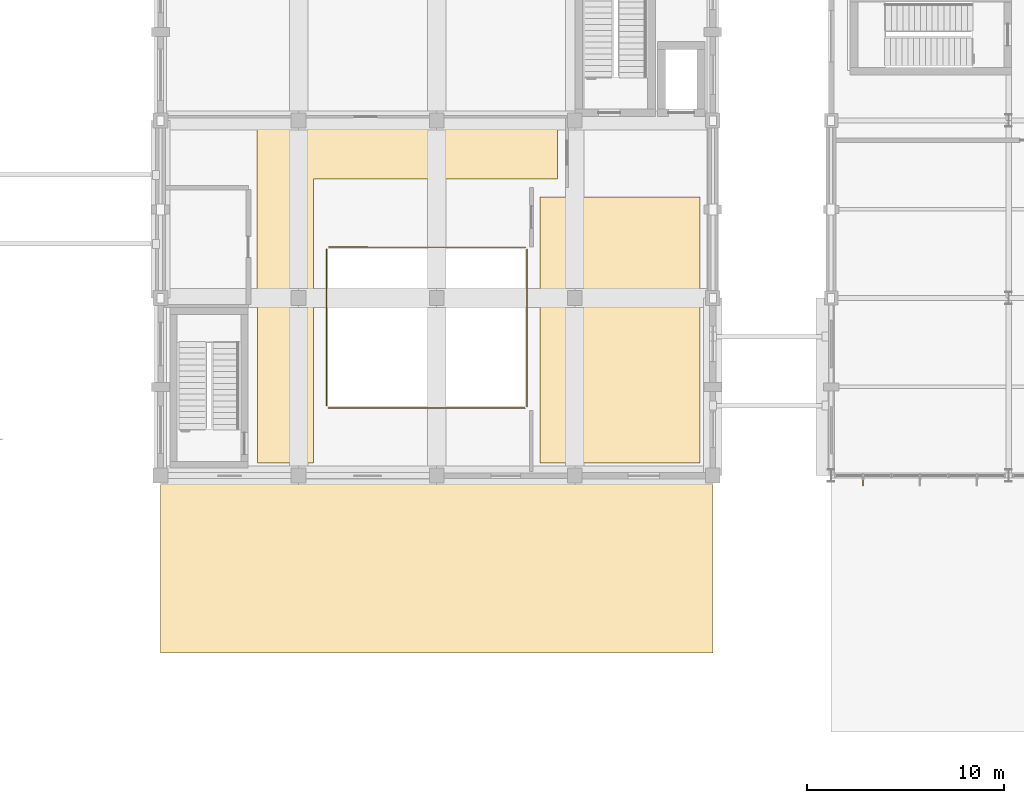
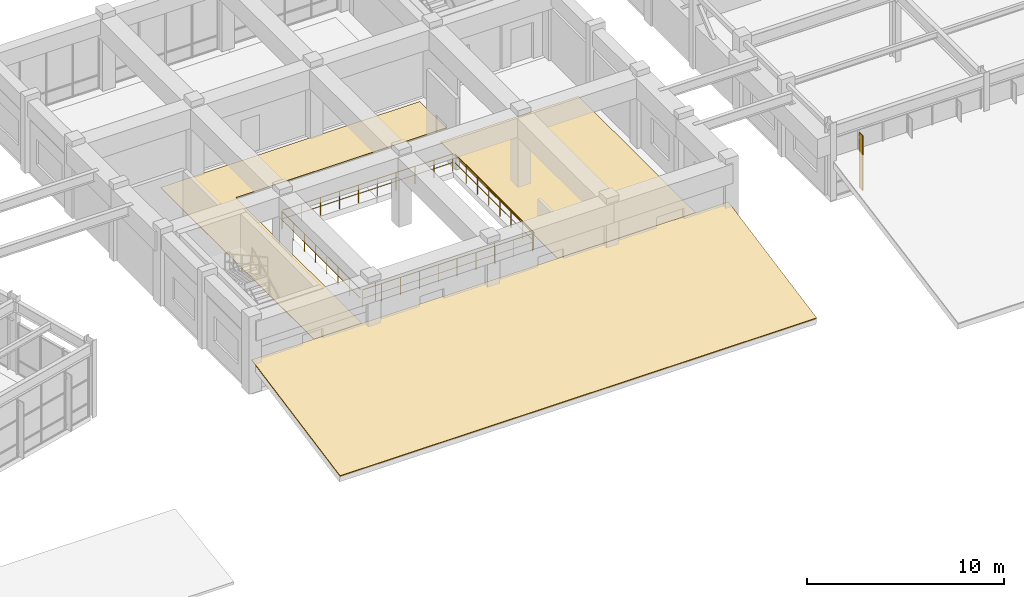
# One storey, part 101 of 104: 3 coverings, 1 railing, 1 shading device.
"""IFC4 building model written with IfcOpenShell, lengths in metres."""

from ifc_helpers import new_model, si_unit, direction, frame, origin, origin_2d, place, context, subcontext, project, spatial, polyline, rectangle, circle, outline, extrude, material, layer, layer_set, type_object, element, save


model = new_model("IFC4")

# Units and contexts
model_context = context("Model", 3, precision=1e-05, world=origin(), true_north=direction((0.0, 1.0)))
body_context = subcontext(model_context, "Body", "Model", "MODEL_VIEW")
ifc_project = project(units=[si_unit("LENGTHUNIT", "METRE"), si_unit("AREAUNIT", "SQUARE_METRE"), si_unit("VOLUMEUNIT", "CUBIC_METRE"), si_unit("PLANEANGLEUNIT", "RADIAN"), si_unit("MASSUNIT", "GRAM", prefix="KILO")], contexts=[model_context])

# Site, building, storey
site_placement = place(None, origin())
site = spatial("IfcSite", under=ifc_project, at=site_placement, CompositionType="ELEMENT")
building_placement = place(site_placement, origin())
building = spatial("IfcBuilding", under=site, at=building_placement, Name="Ventoquebrada Cableway Terminal", CompositionType="ELEMENT")
storey_placement = place(building_placement, frame((0.0, 0.0, 4.800048828125)))
storey = spatial("IfcBuildingStorey", under=building, at=storey_placement, Name="L01", CompositionType="ELEMENT", Elevation=4.800048828125)

# Coverings
ifc_material_1 = material(Name="Honed volcanic basalt stone flooring", Category="masonry")
ifc_layer_1 = layer(ifc_material_1, 0.034912109375)
ifc_layer_set_1 = layer_set([ifc_layer_1], Name="Honed volcanic basalt stone flooring")
covering_type_1 = type_object("IfcCoveringType", Name="COV-FL01", PredefinedType="FLOORING", material=ifc_layer_set_1)
covering_1_placement = place(storey_placement, origin())
element("IfcCovering", 1, at=covering_1_placement, inside=storey, type_object=covering_type_1, Name="Honed basalt floor finish FL-12", PredefinedType="FLOORING", context=body_context, shape_type="SweptSolid", body=[
    extrude(outline(polyline([(102.75, 77.64990234375), (102.75, 92.050048828125), (115.1298828125, 92.050048828125), (115.1298828125, 94.75), (99.89990234375, 94.75), (99.89990234375, 85.68896484375), (99.919921875, 85.64208984375), (99.919921875, 77.64990234375), (102.75, 77.64990234375)])), origin(), (0.0, 0.0, 1.0), 0.034912109375),
])
covering_2_placement = place(storey_placement, origin())
element("IfcCovering", 2, at=covering_2_placement, inside=storey, type_object=covering_type_1, Name="Honed basalt floor finish FL-13", PredefinedType="FLOORING", context=body_context, shape_type="SweptSolid", body=[
    extrude(outline(polyline([(122.35009765625, 77.64990234375), (122.35009765625, 91.1298828125), (114.25, 91.1298828125), (114.25, 77.64990234375), (122.35009765625, 77.64990234375)])), origin(), (0.0, 0.0, 1.0), 0.034912109375),
])
ifc_material_2 = material(Name="Standing-seam zinc-titanium roofing")
ifc_layer_2 = layer(ifc_material_2, 0.06005859375)
ifc_layer_set_2 = layer_set([ifc_layer_2], Name="Standing-seam zinc-titanium roofing")
covering_type_2 = type_object("IfcCoveringType", Name="COV-RF01", PredefinedType="ROOFING", material=ifc_layer_set_2)
covering_3_placement = place(storey_placement, frame((95.0, 68.011474609375, 0.001220703125), z_axis=(0.0, -0.190741364562, 0.981640327128), x_axis=(1.0, 0.0, 0.0)))
element("IfcCovering", 3, at=covering_3_placement, inside=storey, type_object=covering_type_2, Name="Standing-seam roof covering SL-109", PredefinedType="ROOFING", context=body_context, shape_type="SweptSolid", body=[
    extrude(outline(polyline([(0.0, 0.0), (28.0, 0.0), (28.0, 9.16832749356057), (0.0, 9.16832749356057), (0.0, 0.0)])), origin(), (0.0, 0.0, 1.0), 0.06005859375),
])

# Railing
ifc_material_3 = material(Name="Brushed stainless steel Grade 316", Category="steel")
railing_type = type_object("IfcRailingType", Name="RL-GD01", PredefinedType="GUARDRAIL", material=ifc_material_3)
railing_placement = place(storey_placement, frame((113.48193359375, 80.419921875, 0.0)))
element("IfcRailing", 4, at=railing_placement, inside=storey, type_object=railing_type, Name="Open-edge guardrail GR-E071", PredefinedType="GUARDRAIL", context=body_context, shape_type="SweptSolid", body=[
    extrude(circle(Radius=0.02392578125, at=origin_2d()), frame((0.095947265625, 0.08203125, 1.09619140625), z_axis=(0.000275279857, 0.99999996211, 0.0), x_axis=(-0.99999996211, 0.000275279857, 0.0)), (0.0, 0.0, 1.0), 7.97802734375),
    extrude(circle(Radius=0.01611328125, at=origin_2d()), frame((0.095947265625, 0.08203125, 0.56005859375), z_axis=(0.000275279857, 0.99999996211, 0.0), x_axis=(-0.99999996211, 0.000275279857, 0.0)), (0.0, 0.0, 1.0), 7.97802734375),
    extrude(circle(Radius=0.02392578125, at=origin_2d()), frame((0.01611328125, 8.157958984375, 1.09619140625), z_axis=(-0.999999975773, 0.000220124243, 0.0), x_axis=(-0.000220124243, -0.999999975773, 0.0)), (0.0, 0.0, 1.0), 9.97802734375),
    extrude(circle(Radius=0.01611328125, at=origin_2d()), frame((0.01611328125, 8.157958984375, 0.56005859375), z_axis=(-0.999999975773, 0.000220124243, 0.0), x_axis=(-0.000220124243, -0.999999975773, 0.0)), (0.0, 0.0, 1.0), 9.97802734375),
    extrude(circle(Radius=0.02392578125, at=origin_2d()), frame((-10.059814453125, 8.078125, 1.09619140625), z_axis=(-0.000275279857, -0.99999996211, 0.0), x_axis=(0.99999996211, -0.000275279857, 0.0)), (0.0, 0.0, 1.0), 7.97802734375),
    extrude(circle(Radius=0.01611328125, at=origin_2d()), frame((-10.059814453125, 8.078125, 0.56005859375), z_axis=(-0.000275279857, -0.99999996211, 0.0), x_axis=(0.99999996211, -0.000275279857, 0.0)), (0.0, 0.0, 1.0), 7.97802734375),
    extrude(circle(Radius=0.02392578125, at=origin_2d()), frame((-9.97998046875, 0.002197265625, 1.09619140625), z_axis=(0.999999975773, -0.000220124243, 0.0), x_axis=(0.000220124243, 0.999999975773, 0.0)), (0.0, 0.0, 1.0), 9.97802734375),
    extrude(circle(Radius=0.01611328125, at=origin_2d()), frame((-9.97998046875, 0.002197265625, 0.56005859375), z_axis=(0.999999975773, -0.000220124243, 0.0), x_axis=(0.000220124243, 0.999999975773, 0.0)), (0.0, 0.0, 1.0), 9.97802734375),
    extrude(circle(Radius=0.02099609375, at=origin_2d()), frame((0.095947265625, 0.080078125, 0.0)), (0.0, 0.0, 1.0), 1.072021484375),
    extrude(circle(Radius=0.02099609375, at=origin_2d()), frame((0.09619140625, 1.220458984375, 0.0)), (0.0, 0.0, 1.0), 1.072021484375),
    extrude(circle(Radius=0.02099609375, at=origin_2d()), frame((0.0966796875, 2.360595703125, 0.0)), (0.0, 0.0, 1.0), 1.072021484375),
    extrude(circle(Radius=0.02099609375, at=origin_2d()), frame((0.096923828125, 3.5009765625, 0.0)), (0.0, 0.0, 1.0), 1.072021484375),
    extrude(circle(Radius=0.02099609375, at=origin_2d()), frame((0.09716796875, 4.64111328125, 0.0)), (0.0, 0.0, 1.0), 1.072021484375),
    extrude(circle(Radius=0.02099609375, at=origin_2d()), frame((0.097412109375, 5.781494140625, 0.0)), (0.0, 0.0, 1.0), 1.072021484375),
    extrude(circle(Radius=0.02099609375, at=origin_2d()), frame((0.097900390625, 6.921630859375, 0.0)), (0.0, 0.0, 1.0), 1.072021484375),
    extrude(circle(Radius=0.02099609375, at=origin_2d()), frame((0.01806640625, 8.157958984375, 0.0)), (0.0, 0.0, 1.0), 1.072021484375),
    extrude(circle(Radius=0.02099609375, at=origin_2d()), frame((-1.091064453125, 8.158203125, 0.0)), (0.0, 0.0, 1.0), 1.072021484375),
    extrude(circle(Radius=0.02099609375, at=origin_2d()), frame((-2.2001953125, 8.158447265625, 0.0)), (0.0, 0.0, 1.0), 1.072021484375),
    extrude(circle(Radius=0.02099609375, at=origin_2d()), frame((-3.309326171875, 8.15869140625, 0.0)), (0.0, 0.0, 1.0), 1.072021484375),
    extrude(circle(Radius=0.02099609375, at=origin_2d()), frame((-4.41845703125, 8.158935546875, 0.0)), (0.0, 0.0, 1.0), 1.072021484375),
    extrude(circle(Radius=0.02099609375, at=origin_2d()), frame((-5.52734375, 8.1591796875, 0.0)), (0.0, 0.0, 1.0), 1.072021484375),
    extrude(circle(Radius=0.02099609375, at=origin_2d()), frame((-6.636474609375, 8.159423828125, 0.0)), (0.0, 0.0, 1.0), 1.072021484375),
    extrude(circle(Radius=0.02099609375, at=origin_2d()), frame((-7.74560546875, 8.15966796875, 0.0)), (0.0, 0.0, 1.0), 1.072021484375),
    extrude(circle(Radius=0.02099609375, at=origin_2d()), frame((-8.854736328125, 8.159912109375, 0.0)), (0.0, 0.0, 1.0), 1.072021484375),
    extrude(circle(Radius=0.02099609375, at=origin_2d()), frame((-10.059814453125, 8.080078125, 0.0)), (0.0, 0.0, 1.0), 1.072021484375),
    extrude(circle(Radius=0.02099609375, at=origin_2d()), frame((-10.06005859375, 6.939697265625, 0.0)), (0.0, 0.0, 1.0), 1.072021484375),
    extrude(circle(Radius=0.02099609375, at=origin_2d()), frame((-10.060546875, 5.799560546875, 0.0)), (0.0, 0.0, 1.0), 1.072021484375),
    extrude(circle(Radius=0.02099609375, at=origin_2d()), frame((-10.060791015625, 4.6591796875, 0.0)), (0.0, 0.0, 1.0), 1.072021484375),
    extrude(circle(Radius=0.02099609375, at=origin_2d()), frame((-10.06103515625, 3.51904296875, 0.0)), (0.0, 0.0, 1.0), 1.072021484375),
    extrude(circle(Radius=0.02099609375, at=origin_2d()), frame((-10.061279296875, 2.378662109375, 0.0)), (0.0, 0.0, 1.0), 1.072021484375),
    extrude(circle(Radius=0.02099609375, at=origin_2d()), frame((-10.061767578125, 1.238525390625, 0.0)), (0.0, 0.0, 1.0), 1.072021484375),
    extrude(circle(Radius=0.02099609375, at=origin_2d()), frame((-9.98193359375, 0.002197265625, 0.0)), (0.0, 0.0, 1.0), 1.072021484375),
    extrude(circle(Radius=0.02099609375, at=origin_2d()), frame((-8.872802734375, 0.001953125, 0.0)), (0.0, 0.0, 1.0), 1.072021484375),
    extrude(circle(Radius=0.02099609375, at=origin_2d()), frame((-7.763671875, 0.001708984375, 0.0)), (0.0, 0.0, 1.0), 1.072021484375),
    extrude(circle(Radius=0.02099609375, at=origin_2d()), frame((-6.654541015625, 0.00146484375, 0.0)), (0.0, 0.0, 1.0), 1.072021484375),
    extrude(circle(Radius=0.02099609375, at=origin_2d()), frame((-5.54541015625, 0.001220703125, 0.0)), (0.0, 0.0, 1.0), 1.072021484375),
    extrude(circle(Radius=0.02099609375, at=origin_2d()), frame((-4.4365234375, 0.0009765625, 0.0)), (0.0, 0.0, 1.0), 1.072021484375),
    extrude(circle(Radius=0.02099609375, at=origin_2d()), frame((-3.327392578125, 0.000732421875, 0.0)), (0.0, 0.0, 1.0), 1.072021484375),
    extrude(circle(Radius=0.02099609375, at=origin_2d()), frame((-2.21826171875, 0.00048828125, 0.0)), (0.0, 0.0, 1.0), 1.072021484375),
    extrude(circle(Radius=0.02099609375, at=origin_2d()), frame((-1.109130859375, 0.000244140625, 0.0)), (0.0, 0.0, 1.0), 1.072021484375),
    extrude(circle(Radius=0.02099609375, at=origin_2d()), origin(), (0.0, 0.0, 1.0), 1.072021484375),
])

# Shading device
ifc_material_4 = material(Name="Anodized thermally-broken aluminium", Category="aluminium")
shading_device_type = type_object("IfcShadingDeviceType", Name="SHD-AW1", PredefinedType="AWNING", material=ifc_material_4)
shading_device_placement = place(storey_placement, frame((130.613037109375, 76.659912109375, 0.14990234375), z_axis=(0.0, 0.0, 1.0), x_axis=(1.0, 0.0, 0.0)))
element("IfcShadingDevice", 5, at=shading_device_placement, inside=storey, type_object=shading_device_type, Name="Extruded aluminium sunshade fin FN-044", PredefinedType="AWNING", context=body_context, shape_type="SweptSolid", body=[
    extrude(rectangle(XDim=0.044921875, YDim=0.360107421875, at=origin_2d()), origin(), (0.0, 0.0, 1.0), 3.407958984375),
])

save(model, "model.ifc")
